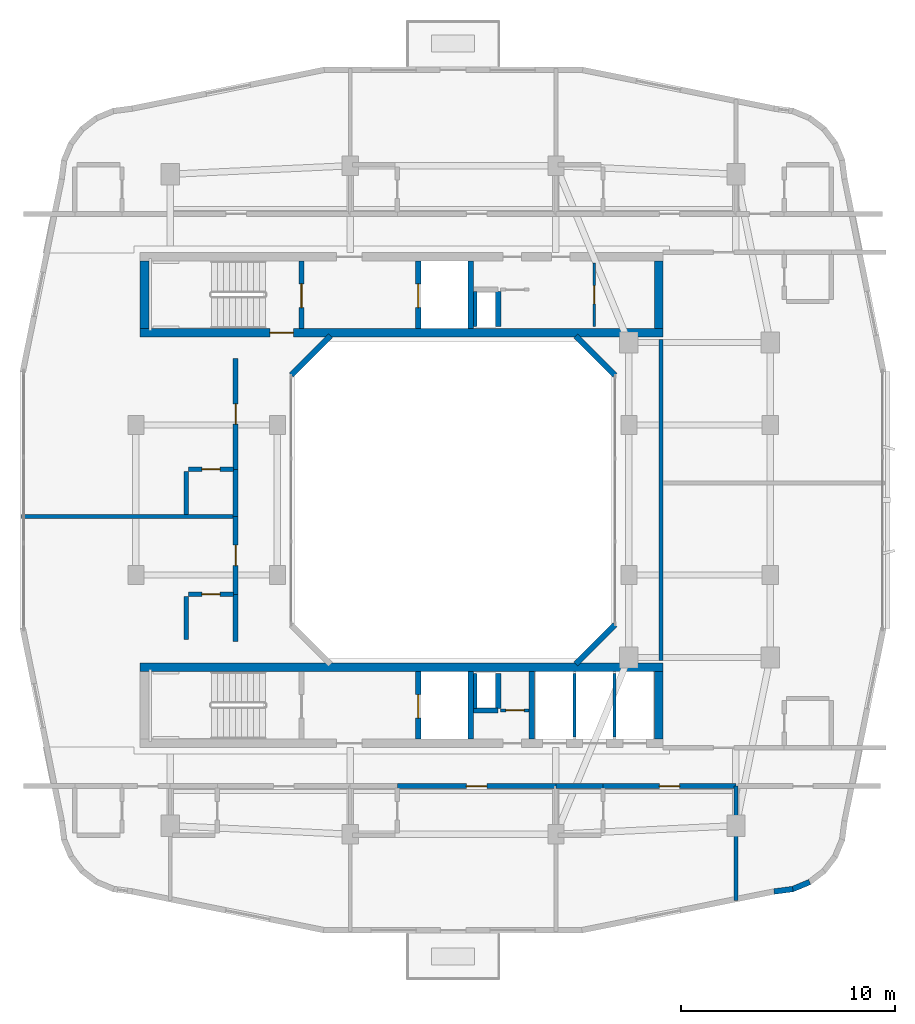
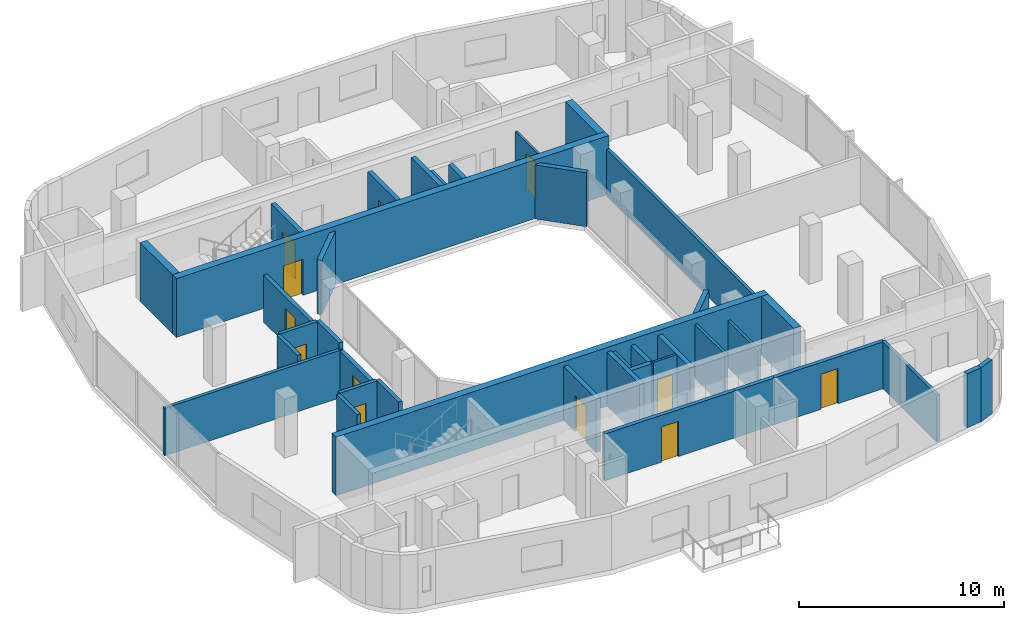
# One storey, part 6 of 13: 39 walls, 12 doors, 12 openings.
"""IFC4 building model written with IfcOpenShell, lengths in metres."""

from ifc_helpers import new_model, si_unit, derived_unit, direction, frame, frame_2d, origin, place, context, subcontext, project, spatial, rectangle, extrude, material, layer, layer_set, type_object, element, fill, save


model = new_model("IFC4")

# Units and contexts
model_context = context("Model", 3, precision=1e-05, world=origin(), true_north=direction((0.0, 1.0)))
body_context = subcontext(model_context, "Body", "Model", "MODEL_VIEW")
ifc_project = project(units=[si_unit("LENGTHUNIT", "METRE"), si_unit("AREAUNIT", "SQUARE_METRE"), si_unit("VOLUMEUNIT", "CUBIC_METRE"), si_unit("PLANEANGLEUNIT", "RADIAN"), si_unit("MASSUNIT", "GRAM", prefix="KILO"), derived_unit("THERMALTRANSMITTANCEUNIT", [(si_unit("POWERUNIT", "WATT"), 1), (si_unit("LENGTHUNIT", "METRE"), -2), (si_unit("THERMODYNAMICTEMPERATUREUNIT", "KELVIN"), -1)])], contexts=[model_context])

# Site, building, storey
site_placement = place(None, origin())
site = spatial("IfcSite", under=ifc_project, at=site_placement, CompositionType="ELEMENT")
building_placement = place(site_placement, origin())
building = spatial("IfcBuilding", under=site, at=building_placement, Name="Kivonza Crest Hotel", CompositionType="ELEMENT")
storey_placement = place(building_placement, frame((0.0, 0.0, 155.5)))
storey = spatial("IfcBuildingStorey", under=building, at=storey_placement, Name="L42", CompositionType="ELEMENT", Elevation=155.5)

# Walls
ifc_material_1 = material(Name="High-density acoustic masonry inter-tenancy wall", Category="masonry")
ifc_layer_1 = layer(ifc_material_1, 0.179931640625)
ifc_layer_set_1 = layer_set([ifc_layer_1], Name="High-density acoustic masonry inter-tenancy wall")
wall_type_1 = type_object("IfcWallType", Name="WL-ACOU-180", PredefinedType="SOLIDWALL", material=ifc_layer_set_1)
wall_1_placement = place(storey_placement, frame((34.199951171875, 6.299072265625, 0.0), z_axis=(0.0, 0.0, 1.0), x_axis=(0.0, 1.0, 0.0)))
element("IfcWall", 1, at=wall_1_placement, inside=storey, type_object=wall_type_1, Name="L42 interior partition WA-L42-T1S-DIV4", PredefinedType="SOLIDWALL", context=body_context, shape_type="SweptSolid", body=[
    extrude(rectangle(XDim=5.350830078125, YDim=0.179931640625, at=frame_2d((2.67529296875, 0.0))), origin(), (0.0, 0.0, 1.0), 2.794921875),
])
wall_2_placement = place(storey_placement, frame((0.860107421875, 24.22998046875, 0.0), z_axis=(0.0, 0.0, 1.0), x_axis=(1.0, 0.0, 0.0)))
element("IfcWall", 2, at=wall_2_placement, inside=storey, type_object=wall_type_1, Name="L42 interior partition WA-L42-T1W-DIV1", PredefinedType="SOLIDWALL", context=body_context, shape_type="SweptSolid", body=[
    extrude(rectangle(XDim=9.989990234375, YDim=0.179931640625, at=frame_2d((4.9951171875, 0.0))), origin(), (0.0, 0.0, 1.0), 2.8349609375),
])
wall_3_placement = place(storey_placement, frame((30.7099609375, 17.5, 0.0), z_axis=(0.0, 0.0, 1.0), x_axis=(0.0, 1.0, 0.0)))
element("IfcWall", 3, at=wall_3_placement, inside=storey, type_object=wall_type_1, Name="L42 interior partition WA-L42-T1EC-W", PredefinedType="SOLIDWALL", context=body_context, shape_type="SweptSolid", body=[
    extrude(rectangle(XDim=15.0, YDim=0.179931640625, at=frame_2d((7.5, 0.0))), origin(), (0.0, 0.0, 1.0), 2.794921875),
])

# Wall, opening, door
ifc_material_2 = material(Name="Autoclaved aerated concrete blockwork", Category="masonry")
ifc_layer_2 = layer(ifc_material_2, 0.219970703125)
ifc_layer_set_2 = layer_set([ifc_layer_2], Name="Autoclaved aerated concrete blockwork")
wall_type_2 = type_object("IfcWallType", Name="WL-ACOU-220", PredefinedType="SOLIDWALL", material=ifc_layer_set_2)
wall_4_placement = place(storey_placement, frame((18.39990234375, 11.64990234375, 0.0), z_axis=(0.0, 0.0, 1.0), x_axis=(1.0, 0.0, 0.0)))
wall_4 = element("IfcWall", 4, at=wall_4_placement, inside=storey, type_object=wall_type_2, Name="L42 interior partition WA-L42-S07-MCORR", PredefinedType="SOLIDWALL", context=body_context, shape_type="SweptSolid", body=[
    extrude(rectangle(XDim=7.400146484375, YDim=0.219970703125, at=frame_2d((3.7001953125, 0.0))), origin(), (0.0, 0.0, 1.0), 2.794921875),
])
opening_1_placement = place(wall_4_placement, frame((3.22509765625, 0.0, 0.0)))
opening_1 = element("IfcOpeningElement", 5, at=opening_1_placement, cuts=wall_4, Name="Opening DU-60", PredefinedType="OPENING", context=body_context, shape_type="SweptSolid", body=[
    extrude(rectangle(XDim=0.949951171875, YDim=2.10009765625, at=frame_2d((0.47509765625, 1.050048828125))), frame((0.0, 0.1201171875, 0.0), z_axis=(0.0, -1.0, 0.0), x_axis=(1.0, 0.0, 0.0)), (0.0, 0.0, 1.0), 0.239990234375),
])
ifc_material_3 = material(Name="Hardwood timber oak", Category="wood")
door_type_1 = type_object("IfcDoorType", Name="DR-UNIT-950", OperationType="NOTDEFINED", PredefinedType="DOOR", material=ifc_material_3)
door_1_placement = place(opening_1_placement, frame((0.949951171875, 0.0, 0.0), z_axis=(0.0, 0.0, 1.0), x_axis=(-1.0, 0.0, 0.0)))
door_1 = element("IfcDoor", 6, at=door_1_placement, inside=storey, type_object=door_type_1, Name="L42 S07 guest unit entrance fire door", OperationType="SINGLE_SWING_LEFT", OverallHeight=2.10009765625, OverallWidth=0.949951171875, PredefinedType="DOOR", context=body_context, shape_type="SweptSolid", body=[
    extrude(rectangle(XDim=0.949951171875, YDim=2.10009765625, at=frame_2d((0.47509765625, 1.050048828125))), frame((0.0, 0.02490234375, 0.0), z_axis=(0.0, -1.0, 0.0), x_axis=(1.0, 0.0, 0.0)), (0.0, 0.0, 1.0), 0.050048828125),
])
fill(opening_1, door_1)

# Wall
wall_5_placement = place(storey_placement, frame((25.800048828125, 11.64990234375, 0.0), z_axis=(0.0, 0.0, 1.0), x_axis=(1.0, 0.0, 0.0)))
element("IfcWall", 7, at=wall_5_placement, inside=storey, type_object=wall_type_2, Name="L42 interior partition WA-L42-S08-BCORR", PredefinedType="SOLIDWALL", context=body_context, shape_type="SweptSolid", body=[
    extrude(rectangle(XDim=2.199951171875, YDim=0.219970703125, at=frame_2d((1.10009765625, 0.0))), origin(), (0.0, 0.0, 1.0), 2.794921875),
])

# Wall, opening, door
wall_6_placement = place(storey_placement, frame((28.0, 11.64990234375, 0.0), z_axis=(0.0, 0.0, 1.0), x_axis=(1.0, 0.0, 0.0)))
wall_6 = element("IfcWall", 8, at=wall_6_placement, inside=storey, type_object=wall_type_2, Name="L42 interior partition WA-L42-S08-MCORR", PredefinedType="SOLIDWALL", context=body_context, shape_type="SweptSolid", body=[
    extrude(rectangle(XDim=6.199951171875, YDim=0.219970703125, at=frame_2d((3.10009765625, 0.0))), origin(), (0.0, 0.0, 1.0), 2.794921875),
])
opening_2_placement = place(wall_6_placement, frame((2.625, 0.0, 0.0)))
opening_2 = element("IfcOpeningElement", 9, at=opening_2_placement, cuts=wall_6, Name="Opening DU-60", PredefinedType="OPENING", context=body_context, shape_type="SweptSolid", body=[
    extrude(rectangle(XDim=0.949951171875, YDim=2.10009765625, at=frame_2d((0.47509765625, 1.050048828125))), frame((0.0, 0.1201171875, 0.0), z_axis=(0.0, -1.0, 0.0), x_axis=(1.0, 0.0, 0.0)), (0.0, 0.0, 1.0), 0.239990234375),
])
door_2_placement = place(opening_2_placement, frame((0.949951171875, 0.0, 0.0), z_axis=(0.0, 0.0, 1.0), x_axis=(-1.0, 0.0, 0.0)))
door_2 = element("IfcDoor", 10, at=door_2_placement, inside=storey, type_object=door_type_1, Name="L42 S08 guest unit entrance fire door", OperationType="SINGLE_SWING_RIGHT", OverallHeight=2.10009765625, OverallWidth=0.949951171875, PredefinedType="DOOR", context=body_context, shape_type="SweptSolid", body=[
    extrude(rectangle(XDim=0.949951171875, YDim=2.10009765625, at=frame_2d((0.47509765625, 1.050048828125))), frame((0.0, 0.02490234375, 0.0), z_axis=(0.0, -1.0, 0.0), x_axis=(1.0, 0.0, 0.0)), (0.0, 0.0, 1.0), 0.050048828125),
])
fill(opening_2, door_2)

# Wall
wall_7_placement = place(storey_placement, frame((10.85009765625, 18.39990234375, 0.0), z_axis=(0.0, 0.0, 1.0), x_axis=(0.0, 1.0, 0.0)))
element("IfcWall", 11, at=wall_7_placement, inside=storey, type_object=wall_type_2, Name="L42 interior partition WA-L42-W09-BCORR", PredefinedType="SOLIDWALL", context=body_context, shape_type="SweptSolid", body=[
    extrude(rectangle(XDim=2.2001953125, YDim=0.219970703125, at=frame_2d((1.10009765625, 0.0))), origin(), (0.0, 0.0, 1.0), 3.219970703125),
])

# Wall, opening, door
wall_8_placement = place(storey_placement, frame((10.85009765625, 20.60009765625, 0.0), z_axis=(0.0, 0.0, 1.0), x_axis=(0.0, 1.0, 0.0)))
wall_8 = element("IfcWall", 12, at=wall_8_placement, inside=storey, type_object=wall_type_2, Name="L42 interior partition WA-L42-W09-MCORR", PredefinedType="SOLIDWALL", context=body_context, shape_type="SweptSolid", body=[
    extrude(rectangle(XDim=3.6298828125, YDim=0.219970703125, at=frame_2d((1.81494140625, 0.0))), origin(), (0.0, 0.0, 1.0), 2.794921875),
])
opening_3_placement = place(wall_8_placement, frame((1.340087890625, 0.0, 0.0)))
opening_3 = element("IfcOpeningElement", 13, at=opening_3_placement, cuts=wall_8, Name="Opening DU-60", PredefinedType="OPENING", context=body_context, shape_type="SweptSolid", body=[
    extrude(rectangle(XDim=0.949951171875, YDim=2.10009765625, at=frame_2d((0.47509765625, 1.050048828125))), frame((0.0, 0.1201171875, 0.0), z_axis=(0.0, -1.0, 0.0), x_axis=(1.0, 0.0, 0.0)), (0.0, 0.0, 1.0), 0.239990234375),
])
door_3_placement = place(opening_3_placement, origin())
door_3 = element("IfcDoor", 14, at=door_3_placement, inside=storey, type_object=door_type_1, Name="L42 W09 guest unit entrance fire door", OperationType="SINGLE_SWING_LEFT", OverallHeight=2.10009765625, OverallWidth=0.949951171875, PredefinedType="DOOR", context=body_context, shape_type="SweptSolid", body=[
    extrude(rectangle(XDim=0.949951171875, YDim=2.10009765625, at=frame_2d((0.47509765625, 1.050048828125))), frame((0.0, 0.02490234375, 0.0), z_axis=(0.0, -1.0, 0.0), x_axis=(1.0, 0.0, 0.0)), (0.0, 0.0, 1.0), 0.050048828125),
])
fill(opening_3, door_3)

# Wall
wall_9_placement = place(storey_placement, frame((10.85009765625, 24.22998046875, 0.0), z_axis=(0.0, 0.0, 1.0), x_axis=(0.0, 1.0, 0.0)))
element("IfcWall", 15, at=wall_9_placement, inside=storey, type_object=wall_type_2, Name="L42 interior partition WA-L42-W10-BCORR", PredefinedType="SOLIDWALL", context=body_context, shape_type="SweptSolid", body=[
    extrude(rectangle(XDim=2.199951171875, YDim=0.219970703125, at=frame_2d((1.10009765625, 0.0))), origin(), (0.0, 0.0, 1.0), 3.219970703125),
])

# Wall, opening, door
wall_10_placement = place(storey_placement, frame((10.85009765625, 26.429931640625, 0.0), z_axis=(0.0, 0.0, 1.0), x_axis=(0.0, 1.0, 0.0)))
wall_10 = element("IfcWall", 16, at=wall_10_placement, inside=storey, type_object=wall_type_2, Name="L42 interior partition WA-L42-W10-MCORR", PredefinedType="SOLIDWALL", context=body_context, shape_type="SweptSolid", body=[
    extrude(rectangle(XDim=5.170166015625, YDim=0.219970703125, at=frame_2d((2.5849609375, 0.0))), origin(), (0.0, 0.0, 1.0), 2.794921875),
])
opening_4_placement = place(wall_10_placement, frame((2.110107421875, 0.0, 0.0)))
opening_4 = element("IfcOpeningElement", 17, at=opening_4_placement, cuts=wall_10, Name="Opening DU-60", PredefinedType="OPENING", context=body_context, shape_type="SweptSolid", body=[
    extrude(rectangle(XDim=0.949951171875, YDim=2.10009765625, at=frame_2d((0.47509765625, 1.050048828125))), frame((0.0, 0.1201171875, 0.0), z_axis=(0.0, -1.0, 0.0), x_axis=(1.0, 0.0, 0.0)), (0.0, 0.0, 1.0), 0.239990234375),
])
door_4_placement = place(opening_4_placement, origin())
door_4 = element("IfcDoor", 18, at=door_4_placement, inside=storey, type_object=door_type_1, Name="L42 W10 guest unit entrance fire door", OperationType="SINGLE_SWING_RIGHT", OverallHeight=2.10009765625, OverallWidth=0.949951171875, PredefinedType="DOOR", context=body_context, shape_type="SweptSolid", body=[
    extrude(rectangle(XDim=0.949951171875, YDim=2.10009765625, at=frame_2d((0.47509765625, 1.050048828125))), frame((0.0, 0.02490234375, 0.0), z_axis=(0.0, -1.0, 0.0), x_axis=(1.0, 0.0, 0.0)), (0.0, 0.0, 1.0), 0.050048828125),
])
fill(opening_4, door_4)

ifc_material_4 = material(Name="Concrete C50/60", Category="concrete")
ifc_layer_3 = layer(ifc_material_4, 0.39990234375)
ifc_layer_set_3 = layer_set([ifc_layer_3], Name="Concrete C50/60")
wall_type_3 = type_object("IfcWallType", Name="WL-CORE-400", PredefinedType="SHEAR", material=ifc_layer_set_3)
wall_11_placement = place(storey_placement, frame((6.39990234375, 32.800048828125, 0.0), z_axis=(0.0, 0.0, 1.0), x_axis=(1.0, 0.0, 0.0)))
wall_11 = element("IfcWall", 19, at=wall_11_placement, inside=storey, type_object=wall_type_3, Name="Core wall T1-N South L42", PredefinedType="SHEAR", context=body_context, shape_type="SweptSolid", body=[
    extrude(rectangle(XDim=24.400146484375, YDim=0.39990234375, at=frame_2d((12.2001953125, 0.0))), origin(), (0.0, 0.0, 1.0), 3.5),
])
opening_5_placement = place(wall_11_placement, frame((6.050048828125, 0.0, 0.0)))
opening_5 = element("IfcOpeningElement", 20, at=opening_5_placement, cuts=wall_11, Name="Opening DF-120", PredefinedType="OPENING", context=body_context, shape_type="SweptSolid", body=[
    extrude(rectangle(XDim=1.10009765625, YDim=2.14990234375, at=frame_2d((0.550048828125, 1.074951171875))), frame((0.0, 0.2099609375, 0.0), z_axis=(0.0, -1.0, 0.0), x_axis=(1.0, 0.0, 0.0)), (0.0, 0.0, 1.0), 0.419921875),
])
ifc_material_5 = material(Name="Galvanised steel", Category="steel")
door_type_2 = type_object("IfcDoorType", Name="DR-FD120-1100", OperationType="NOTDEFINED", PredefinedType="DOOR", material=ifc_material_5)
door_5_placement = place(opening_5_placement, origin())
door_5 = element("IfcDoor", 21, at=door_5_placement, inside=storey, type_object=door_type_2, Name="L42 West corridor stair access fire door", OperationType="SINGLE_SWING_LEFT", OverallHeight=2.14990234375, OverallWidth=1.10009765625, PredefinedType="DOOR", context=body_context, shape_type="SweptSolid", body=[
    extrude(rectangle(XDim=1.10009765625, YDim=2.14990234375, at=frame_2d((0.550048828125, 1.074951171875))), frame((0.0, 0.02490234375, 0.0), z_axis=(0.0, -1.0, 0.0), x_axis=(1.0, 0.0, 0.0)), (0.0, 0.0, 1.0), 0.050048828125),
])
fill(opening_5, door_5)

# Walls
for number, where, z_axis, x_axis, name in (
    (22, (6.60009765625, 33.0, 0.0), (0.0, 0.0, 1.0), (0.0, 1.0, 0.0), "Core wall T1-N West L42"),
    (23, (30.60009765625, 33.0, 0.0), (0.0, 0.0, 1.0), (0.0, 1.0, 0.0), "Core wall T1-N East L42"),
):
    element("IfcWall", number, at=place(storey_placement, frame(where, z_axis=z_axis, x_axis=x_axis)), inside=storey, type_object=wall_type_3, Name=name, PredefinedType="SHEAR", context=body_context, shape_type="SweptSolid", body=[
        extrude(rectangle(XDim=3.159912109375, YDim=0.39990234375, at=frame_2d((1.580078125, 0.0))), origin(), (0.0, 0.0, 1.0), 3.5),
    ])
wall_12_placement = place(storey_placement, frame((6.39990234375, 17.199951171875, 0.0), z_axis=(0.0, 0.0, 1.0), x_axis=(1.0, 0.0, 0.0)))
element("IfcWall", 24, at=wall_12_placement, inside=storey, type_object=wall_type_3, Name="Core wall T1-S North L42", PredefinedType="SHEAR", context=body_context, shape_type="SweptSolid", body=[
    extrude(rectangle(XDim=24.400146484375, YDim=0.39990234375, at=frame_2d((12.2001953125, 0.0))), origin(), (0.0, 0.0, 1.0), 3.5),
])
wall_13_placement = place(storey_placement, frame((30.60009765625, 13.840087890625, 0.0), z_axis=(0.0, 0.0, 1.0), x_axis=(0.0, 1.0, 0.0)))
element("IfcWall", 25, at=wall_13_placement, inside=storey, type_object=wall_type_3, Name="Core wall T1-S East L42", PredefinedType="SHEAR", context=body_context, shape_type="SweptSolid", body=[
    extrude(rectangle(XDim=3.159912109375, YDim=0.39990234375, at=frame_2d((1.580078125, 0.0))), origin(), (0.0, 0.0, 1.0), 3.5),
])
ifc_material_6 = material(Name="Precast concrete C40/50", Category="concrete")
ifc_layer_4 = layer(ifc_material_6, 0.260009765625)
ifc_layer_set_4 = layer_set([ifc_layer_4], Name="Precast concrete C40/50")
wall_type_4 = type_object("IfcWallType", Name="WL-EXT-260", PredefinedType="STANDARD", material=ifc_layer_set_4)
wall_14_placement = place(storey_placement, frame((35.97509765625, 6.72802734375, 0.0), z_axis=(0.0, 0.0, 1.0), x_axis=(0.991388484223, 0.130953706898, 0.0)))
element("IfcWall", 26, at=wall_14_placement, inside=storey, type_object=wall_type_4, Name="L42 T1 exterior insulated wall 10", PredefinedType="STANDARD", context=body_context, shape_type="SweptSolid", body=[
    extrude(rectangle(XDim=0.885498046875, YDim=0.260009765625, at=frame_2d((0.44287109375, 0.0))), origin(), (0.0, 0.0, 1.0), 3.219970703125),
])
wall_15_placement = place(storey_placement, frame((36.806884765625, 6.825927734375, 0.0), z_axis=(0.0, 0.0, 1.0), x_axis=(0.923627776508, 0.383290660547, 0.0)))
element("IfcWall", 27, at=wall_15_placement, inside=storey, type_object=wall_type_4, Name="L42 T1 exterior insulated wall 11", PredefinedType="STANDARD", context=body_context, shape_type="SweptSolid", body=[
    extrude(rectangle(XDim=0.9033203125, YDim=0.260009765625, at=frame_2d((0.45166015625, 0.0))), origin(), (0.0, 0.0, 1.0), 3.219970703125),
])
for number, where, z_axis, x_axis, name in (
    (28, (26.721923828125, 17.337890625, 0.0), (0.0, 0.0, 1.0), (0.707059717605, 0.707153841636, 0.0), "L42 T1 light-well exterior wall 2"),
    (29, (28.555908203125, 30.827880859375, 0.0), (0.0, 0.0, 1.0), (-0.707059717605, 0.707153841636, 0.0), "L42 T1 light-well exterior wall 4"),
    (30, (15.278076171875, 32.662109375, 0.0), (0.0, 0.0, 1.0), (-0.707059717605, -0.707153841636, 0.0), "L42 T1 light-well exterior wall 6"),
):
    element("IfcWall", number, at=place(storey_placement, frame(where, z_axis=z_axis, x_axis=x_axis)), inside=storey, type_object=wall_type_4, Name=name, PredefinedType="STANDARD", context=body_context, shape_type="SweptSolid", body=[
        extrude(rectangle(XDim=2.59375, YDim=0.260009765625, at=frame_2d((1.296875, 0.0))), origin(), (0.0, 0.0, 1.0), 3.219970703125),
    ])
ifc_material_7 = material(Name="Concrete blockwork fire-compartment wall", Category="masonry")
ifc_layer_5 = layer(ifc_material_7, 0.25)
ifc_layer_set_5 = layer_set([ifc_layer_5], Name="Concrete blockwork fire-compartment wall")
wall_type_5 = type_object("IfcWallType", Name="WL-FIRE-250", PredefinedType="SOLIDWALL", material=ifc_layer_set_5)
for number, where, z_axis, x_axis, name in (
    (31, (23.10009765625, 33.10009765625, 0.0), (0.0, 0.0, 1.0), (0.0, 1.0, 0.0), "L42 interior partition WA-L42-T1-N-MEPR-E"),
    (32, (23.10009765625, 15.280029296875, 0.0), (0.0, 0.0, 1.0), (0.0, 1.0, 0.0), "L42 interior partition WA-L42-T1-S-MEPR-E"),
):
    element("IfcWall", number, at=place(storey_placement, frame(where, z_axis=z_axis, x_axis=x_axis)), inside=storey, type_object=wall_type_5, Name=name, PredefinedType="SOLIDWALL", context=body_context, shape_type="SweptSolid", body=[
        extrude(rectangle(XDim=1.619873046875, YDim=0.25, at=frame_2d((0.81005859375, 0.0))), origin(), (0.0, 0.0, 1.0), 3.219970703125),
    ])
wall_16_placement = place(storey_placement, frame((21.949951171875, 15.179931640625, 0.0), z_axis=(0.0, 0.0, 1.0), x_axis=(1.0, 0.0, 0.0)))
element("IfcWall", 33, at=wall_16_placement, inside=storey, type_object=wall_type_5, Name="L42 interior partition WA-L42-T1-S-MEPR-H", PredefinedType="SOLIDWALL", context=body_context, shape_type="SweptSolid", body=[
    extrude(rectangle(XDim=1.150146484375, YDim=0.25, at=frame_2d((0.5751953125, 0.0))), origin(), (0.0, 0.0, 1.0), 3.219970703125),
])

# Wall, opening, door
ifc_material_8 = material(Name="Metal-stud gypsum board partition", Category="gypsum")
ifc_layer_6 = layer(ifc_material_8, 0.125)
ifc_layer_set_6 = layer_set([ifc_layer_6], Name="Metal-stud gypsum board partition")
wall_type_6 = type_object("IfcWallType", Name="WL-PART-125", PredefinedType="PARTITIONING", material=ifc_layer_set_6)
wall_17_placement = place(storey_placement, frame((27.580078125, 33.10009765625, 0.0), z_axis=(0.0, 0.0, 1.0), x_axis=(0.0, 1.0, 0.0)))
wall_17 = element("IfcWall", 34, at=wall_17_placement, inside=storey, type_object=wall_type_6, Name="L42 interior partition WP-L42-T1-N-RECL", PredefinedType="PARTITIONING", context=body_context, shape_type="SweptSolid", body=[
    extrude(rectangle(XDim=2.9599609375, YDim=0.125, at=frame_2d((1.47998046875, 0.0))), origin(), (0.0, 0.0, 1.0), 2.794921875),
])
opening_6_placement = place(wall_17_placement, frame((1.054931640625, 0.0, 0.0)))
opening_6 = element("IfcOpeningElement", 35, at=opening_6_placement, cuts=wall_17, Name="Opening DI-85", PredefinedType="OPENING", context=body_context, shape_type="SweptSolid", body=[
    extrude(rectangle(XDim=0.85009765625, YDim=2.10009765625, at=frame_2d((0.425048828125, 1.050048828125))), frame((0.0, 0.072509765625, 0.0), z_axis=(0.0, -1.0, 0.0), x_axis=(1.0, 0.0, 0.0)), (0.0, 0.0, 1.0), 0.14501953125),
])
door_type_3 = type_object("IfcDoorType", Name="DR-INT-850", OperationType="NOTDEFINED", PredefinedType="DOOR", material=ifc_material_3)
door_6_placement = place(opening_6_placement, origin())
door_6 = element("IfcDoor", 36, at=door_6_placement, inside=storey, type_object=door_type_3, Name="L42 T1-N reclaimed inner pantry door", OperationType="SINGLE_SWING_LEFT", OverallHeight=2.10009765625, OverallWidth=0.85009765625, PredefinedType="DOOR", context=body_context, shape_type="SweptSolid", body=[
    extrude(rectangle(XDim=0.85009765625, YDim=2.10009765625, at=frame_2d((0.425048828125, 1.050048828125))), frame((0.0, 0.02490234375, 0.0), z_axis=(0.0, -1.0, 0.0), x_axis=(1.0, 0.0, 0.0)), (0.0, 0.0, 1.0), 0.050048828125),
])
fill(opening_6, door_6)

wall_18_placement = place(storey_placement, frame((23.219970703125, 15.179931640625, 0.0), z_axis=(0.0, 0.0, 1.0), x_axis=(1.0, 0.0, 0.0)))
wall_18 = element("IfcWall", 37, at=wall_18_placement, inside=storey, type_object=wall_type_6, Name="L42 interior partition WP-L42-T1-S-SV3H", PredefinedType="PARTITIONING", context=body_context, shape_type="SweptSolid", body=[
    extrude(rectangle(XDim=1.330078125, YDim=0.125, at=frame_2d((0.6650390625, 0.0))), origin(), (0.0, 0.0, 1.0), 3.219970703125),
])
opening_7_placement = place(wall_18_placement, frame((0.239990234375, 0.0, 0.0)))
opening_7 = element("IfcOpeningElement", 38, at=opening_7_placement, cuts=wall_18, Name="Opening DI-85", PredefinedType="OPENING", context=body_context, shape_type="SweptSolid", body=[
    extrude(rectangle(XDim=0.85009765625, YDim=2.10009765625, at=frame_2d((0.425048828125, 1.050048828125))), frame((0.0, 0.072509765625, 0.0), z_axis=(0.0, -1.0, 0.0), x_axis=(1.0, 0.0, 0.0)), (0.0, 0.0, 1.0), 0.14501953125),
])
door_7_placement = place(opening_7_placement, origin())
door_7 = element("IfcDoor", 39, at=door_7_placement, inside=storey, type_object=door_type_3, Name="L42 T1-S inner manifold door", OperationType="SINGLE_SWING_LEFT", OverallHeight=2.10009765625, OverallWidth=0.85009765625, PredefinedType="DOOR", context=body_context, shape_type="SweptSolid", body=[
    extrude(rectangle(XDim=0.85009765625, YDim=2.10009765625, at=frame_2d((0.425048828125, 1.050048828125))), frame((0.0, 0.02490234375, 0.0), z_axis=(0.0, -1.0, 0.0), x_axis=(1.0, 0.0, 0.0)), (0.0, 0.0, 1.0), 0.050048828125),
])
fill(opening_7, door_7)

# Walls
ifc_material_9 = material(Name="Twin-stud acoustic gypsum board partition", Category="gypsum")
ifc_layer_7 = layer(ifc_material_9, 0.14990234375)
ifc_layer_set_7 = layer_set([ifc_layer_7], Name="Twin-stud acoustic gypsum board partition")
wall_type_7 = type_object("IfcWallType", Name="WL-PART-150", PredefinedType="PARTITIONING", material=ifc_layer_set_7)
for number, where, z_axis, x_axis, name in (
    (40, (22.030029296875, 33.10009765625, 0.0), (0.0, 0.0, 1.0), (0.0, 1.0, 0.0), "L42 interior partition WA-L42-T1-N-MEPR-W"),
    (41, (22.030029296875, 15.280029296875, 0.0), (0.0, 0.0, 1.0), (0.0, 1.0, 0.0), "L42 interior partition WA-L42-T1-S-MEPR-W"),
):
    element("IfcWall", number, at=place(storey_placement, frame(where, z_axis=z_axis, x_axis=x_axis)), inside=storey, type_object=wall_type_7, Name=name, PredefinedType="PARTITIONING", context=body_context, shape_type="SweptSolid", body=[
        extrude(rectangle(XDim=1.619873046875, YDim=0.14990234375, at=frame_2d((0.81005859375, 0.0))), origin(), (0.0, 0.0, 1.0), 3.219970703125),
    ])
wall_19_placement = place(storey_placement, frame((26.6669921875, 13.93994140625, 0.0), z_axis=(0.0, 0.0, 1.0), x_axis=(0.0, 1.0, 0.0)))
element("IfcWall", 42, at=wall_19_placement, inside=storey, type_object=wall_type_7, Name="L42 interior partition WP-L42-T1-S-BSH-1", PredefinedType="PARTITIONING", context=body_context, shape_type="SweptSolid", body=[
    extrude(rectangle(XDim=2.9599609375, YDim=0.14990234375, at=frame_2d((1.47998046875, 0.0))), origin(), (0.0, 0.0, 1.0), 3.219970703125),
])
wall_20_placement = place(storey_placement, frame((28.532958984375, 13.93994140625, 0.0), z_axis=(0.0, 0.0, 1.0), x_axis=(0.0, 1.0, 0.0)))
element("IfcWall", 43, at=wall_20_placement, inside=storey, type_object=wall_type_7, Name="L42 interior partition WP-L42-T1-S-BSH-2", PredefinedType="PARTITIONING", context=body_context, shape_type="SweptSolid", body=[
    extrude(rectangle(XDim=2.9599609375, YDim=0.14990234375, at=frame_2d((1.47998046875, 0.0))), origin(), (0.0, 0.0, 1.0), 2.794921875),
])

# Wall, opening, door
ifc_material_10 = material(Name="Moisture-resistant plumbing chase partition wall", Category="gypsum")
ifc_layer_8 = layer(ifc_material_10, 0.199951171875)
ifc_layer_set_8 = layer_set([ifc_layer_8], Name="Moisture-resistant plumbing chase partition wall")
wall_type_8 = type_object("IfcWallType", Name="WL-PLUMB-200", PredefinedType="PLUMBINGWALL", material=ifc_layer_set_8)
wall_21_placement = place(storey_placement, frame((8.64990234375, 20.60009765625, 0.0), z_axis=(0.0, 0.0, 1.0), x_axis=(1.0, 0.0, 0.0)))
wall_21 = element("IfcWall", 44, at=wall_21_placement, inside=storey, type_object=wall_type_8, Name="L42 interior partition WW-L42-W09-BH", PredefinedType="PLUMBINGWALL", context=body_context, shape_type="SweptSolid", body=[
    extrude(rectangle(XDim=2.10009765625, YDim=0.199951171875, at=frame_2d((1.050048828125, 0.0))), origin(), (0.0, 0.0, 1.0), 3.219970703125),
])
opening_8_placement = place(wall_21_placement, frame((0.625, 0.0, 0.0)))
opening_8 = element("IfcOpeningElement", 45, at=opening_8_placement, cuts=wall_21, Name="Opening DI-85", PredefinedType="OPENING", context=body_context, shape_type="SweptSolid", body=[
    extrude(rectangle(XDim=0.85009765625, YDim=2.10009765625, at=frame_2d((0.425048828125, 1.050048828125))), frame((0.0, 0.10986328125, 0.0), z_axis=(0.0, -1.0, 0.0), x_axis=(1.0, 0.0, 0.0)), (0.0, 0.0, 1.0), 0.219970703125),
])
door_8_placement = place(opening_8_placement, origin())
door_8 = element("IfcDoor", 46, at=door_8_placement, inside=storey, type_object=door_type_3, Name="L42 W09 en-suite bathroom door", OperationType="SINGLE_SWING_RIGHT", OverallHeight=2.10009765625, OverallWidth=0.85009765625, PredefinedType="DOOR", context=body_context, shape_type="SweptSolid", body=[
    extrude(rectangle(XDim=0.85009765625, YDim=2.10009765625, at=frame_2d((0.425048828125, 1.050048828125))), frame((0.0, 0.02490234375, 0.0), z_axis=(0.0, -1.0, 0.0), x_axis=(1.0, 0.0, 0.0)), (0.0, 0.0, 1.0), 0.050048828125),
])
fill(opening_8, door_8)

# Wall
wall_22_placement = place(storey_placement, frame((8.550048828125, 18.5, 0.0), z_axis=(0.0, 0.0, 1.0), x_axis=(0.0, 1.0, 0.0)))
element("IfcWall", 47, at=wall_22_placement, inside=storey, type_object=wall_type_8, Name="L42 interior partition WW-L42-W09-BV", PredefinedType="PLUMBINGWALL", context=body_context, shape_type="SweptSolid", body=[
    extrude(rectangle(XDim=2.0, YDim=0.199951171875, at=frame_2d((1.0, 0.0))), origin(), (0.0, 0.0, 1.0), 3.219970703125),
])

# Wall, opening, door
wall_23_placement = place(storey_placement, frame((8.64990234375, 26.429931640625, 0.0), z_axis=(0.0, 0.0, 1.0), x_axis=(1.0, 0.0, 0.0)))
wall_23 = element("IfcWall", 48, at=wall_23_placement, inside=storey, type_object=wall_type_8, Name="L42 interior partition WW-L42-W10-BH", PredefinedType="PLUMBINGWALL", context=body_context, shape_type="SweptSolid", body=[
    extrude(rectangle(XDim=2.10009765625, YDim=0.199951171875, at=frame_2d((1.050048828125, 0.0))), origin(), (0.0, 0.0, 1.0), 3.219970703125),
])
opening_9_placement = place(wall_23_placement, frame((0.625, 0.0, 0.0)))
opening_9 = element("IfcOpeningElement", 49, at=opening_9_placement, cuts=wall_23, Name="Opening DI-85", PredefinedType="OPENING", context=body_context, shape_type="SweptSolid", body=[
    extrude(rectangle(XDim=0.85009765625, YDim=2.10009765625, at=frame_2d((0.425048828125, 1.050048828125))), frame((0.0, 0.10986328125, 0.0), z_axis=(0.0, -1.0, 0.0), x_axis=(1.0, 0.0, 0.0)), (0.0, 0.0, 1.0), 0.219970703125),
])
door_9_placement = place(opening_9_placement, origin())
door_9 = element("IfcDoor", 50, at=door_9_placement, inside=storey, type_object=door_type_3, Name="L42 W10 en-suite bathroom door", OperationType="SINGLE_SWING_LEFT", OverallHeight=2.10009765625, OverallWidth=0.85009765625, PredefinedType="DOOR", context=body_context, shape_type="SweptSolid", body=[
    extrude(rectangle(XDim=0.85009765625, YDim=2.10009765625, at=frame_2d((0.425048828125, 1.050048828125))), frame((0.0, 0.02490234375, 0.0), z_axis=(0.0, -1.0, 0.0), x_axis=(1.0, 0.0, 0.0)), (0.0, 0.0, 1.0), 0.050048828125),
])
fill(opening_9, door_9)

# Wall
wall_24_placement = place(storey_placement, frame((8.550048828125, 24.330078125, 0.0), z_axis=(0.0, 0.0, 1.0), x_axis=(0.0, 1.0, 0.0)))
element("IfcWall", 51, at=wall_24_placement, inside=storey, type_object=wall_type_8, Name="L42 interior partition WW-L42-W10-BV", PredefinedType="PLUMBINGWALL", context=body_context, shape_type="SweptSolid", body=[
    extrude(rectangle(XDim=2.0, YDim=0.199951171875, at=frame_2d((1.0, 0.0))), origin(), (0.0, 0.0, 1.0), 3.219970703125),
])

# Wall, opening, door
ifc_layer_9 = layer(ifc_material_4, 0.25)
ifc_layer_set_9 = layer_set([ifc_layer_9], Name="Concrete C50/60")
wall_type_9 = type_object("IfcWallType", Name="WL-SHAFT-250", PredefinedType="STANDARD", material=ifc_layer_set_9)
wall_25_placement = place(storey_placement, frame((13.925048828125, 33.0, 0.0), z_axis=(0.0, 0.0, 1.0), x_axis=(0.0, 1.0, 0.0)))
wall_25 = element("IfcWall", 52, at=wall_25_placement, inside=storey, type_object=wall_type_9, Name="Core shaft wall T1-N STAIR L42", PredefinedType="STANDARD", context=body_context, shape_type="SweptSolid", body=[
    extrude(rectangle(XDim=3.159912109375, YDim=0.25, at=frame_2d((1.580078125, 0.0))), origin(), (0.0, 0.0, 1.0), 3.219970703125),
])
opening_10_placement = place(wall_25_placement, frame((0.97998046875, 0.0, 0.0)))
opening_10 = element("IfcOpeningElement", 53, at=opening_10_placement, cuts=wall_25, Name="Opening DF-120", PredefinedType="OPENING", context=body_context, shape_type="SweptSolid", body=[
    extrude(rectangle(XDim=1.10009765625, YDim=2.14990234375, at=frame_2d((0.550048828125, 1.074951171875))), frame((0.0, 0.135009765625, 0.0), z_axis=(0.0, -1.0, 0.0), x_axis=(1.0, 0.0, 0.0)), (0.0, 0.0, 1.0), 0.27001953125),
])
door_10_placement = place(opening_10_placement, frame((1.10009765625, 0.0, 0.0), z_axis=(0.0, 0.0, 1.0), x_axis=(-1.0, 0.0, 0.0)))
door_10 = element("IfcDoor", 54, at=door_10_placement, inside=storey, type_object=door_type_2, Name="L42 T1-N stair fire door", OperationType="SINGLE_SWING_LEFT", OverallHeight=2.14990234375, OverallWidth=1.10009765625, PredefinedType="DOOR", context=body_context, shape_type="SweptSolid", body=[
    extrude(rectangle(XDim=1.10009765625, YDim=2.14990234375, at=frame_2d((0.550048828125, 1.074951171875))), frame((0.0, 0.02490234375, 0.0), z_axis=(0.0, -1.0, 0.0), x_axis=(1.0, 0.0, 0.0)), (0.0, 0.0, 1.0), 0.050048828125),
])
fill(opening_10, door_10)

wall_26_placement = place(storey_placement, frame((19.375, 33.0, 0.0), z_axis=(0.0, 0.0, 1.0), x_axis=(0.0, 1.0, 0.0)))
wall_26 = element("IfcWall", 55, at=wall_26_placement, inside=storey, type_object=wall_type_9, Name="Core shaft wall T1-N FFL-W L42", PredefinedType="STANDARD", context=body_context, shape_type="SweptSolid", body=[
    extrude(rectangle(XDim=3.159912109375, YDim=0.25, at=frame_2d((1.580078125, 0.0))), origin(), (0.0, 0.0, 1.0), 3.219970703125),
])
opening_11_placement = place(wall_26_placement, frame((0.97998046875, 0.0, 0.0)))
opening_11 = element("IfcOpeningElement", 56, at=opening_11_placement, cuts=wall_26, Name="Opening LD-120", PredefinedType="OPENING", context=body_context, shape_type="SweptSolid", body=[
    extrude(rectangle(XDim=1.10009765625, YDim=2.14990234375, at=frame_2d((0.550048828125, 1.074951171875))), frame((0.0, 0.135009765625, 0.0), z_axis=(0.0, -1.0, 0.0), x_axis=(1.0, 0.0, 0.0)), (0.0, 0.0, 1.0), 0.27001953125),
])
ifc_material_11 = material(Name="Stainless steel", Category="steel")
door_type_4 = type_object("IfcDoorType", Name="DR-LD120-1100", OperationType="NOTDEFINED", PredefinedType="DOOR", material=ifc_material_11)
door_11_placement = place(opening_11_placement, origin())
door_11 = element("IfcDoor", 57, at=door_11_placement, inside=storey, type_object=door_type_4, Name="L42 FFL-T1-N firefighting lift sliding landing door", OperationType="DOUBLE_DOOR_SLIDING", OverallHeight=2.14990234375, OverallWidth=1.10009765625, PredefinedType="DOOR", context=body_context, shape_type="SweptSolid", body=[
    extrude(rectangle(XDim=1.10009765625, YDim=2.14990234375, at=frame_2d((0.550048828125, 1.074951171875))), frame((0.0, 0.02490234375, 0.0), z_axis=(0.0, -1.0, 0.0), x_axis=(1.0, 0.0, 0.0)), (0.0, 0.0, 1.0), 0.050048828125),
])
fill(opening_11, door_11)

# Wall
wall_27_placement = place(storey_placement, frame((21.824951171875, 33.0, 0.0), z_axis=(0.0, 0.0, 1.0), x_axis=(0.0, 1.0, 0.0)))
element("IfcWall", 58, at=wall_27_placement, inside=storey, type_object=wall_type_9, Name="Core shaft wall T1-N FFL-E L42", PredefinedType="STANDARD", context=body_context, shape_type="SweptSolid", body=[
    extrude(rectangle(XDim=3.159912109375, YDim=0.25, at=frame_2d((1.580078125, 0.0))), origin(), (0.0, 0.0, 1.0), 3.219970703125),
])

# Wall, opening, door
wall_28_placement = place(storey_placement, frame((19.375, 13.840087890625, 0.0), z_axis=(0.0, 0.0, 1.0), x_axis=(0.0, 1.0, 0.0)))
wall_28 = element("IfcWall", 59, at=wall_28_placement, inside=storey, type_object=wall_type_9, Name="Core shaft wall T1-S FFL-W L42", PredefinedType="STANDARD", context=body_context, shape_type="SweptSolid", body=[
    extrude(rectangle(XDim=3.159912109375, YDim=0.25, at=frame_2d((1.580078125, 0.0))), origin(), (0.0, 0.0, 1.0), 3.219970703125),
])
opening_12_placement = place(wall_28_placement, frame((0.97998046875, 0.0, 0.0)))
opening_12 = element("IfcOpeningElement", 60, at=opening_12_placement, cuts=wall_28, Name="Opening LD-120", PredefinedType="OPENING", context=body_context, shape_type="SweptSolid", body=[
    extrude(rectangle(XDim=1.10009765625, YDim=2.14990234375, at=frame_2d((0.550048828125, 1.074951171875))), frame((0.0, 0.135009765625, 0.0), z_axis=(0.0, -1.0, 0.0), x_axis=(1.0, 0.0, 0.0)), (0.0, 0.0, 1.0), 0.27001953125),
])
door_12_placement = place(opening_12_placement, origin())
door_12 = element("IfcDoor", 61, at=door_12_placement, inside=storey, type_object=door_type_4, Name="L42 FFL-T1-S firefighting lift sliding landing door", OperationType="DOUBLE_DOOR_SLIDING", OverallHeight=2.14990234375, OverallWidth=1.10009765625, PredefinedType="DOOR", context=body_context, shape_type="SweptSolid", body=[
    extrude(rectangle(XDim=1.10009765625, YDim=2.14990234375, at=frame_2d((0.550048828125, 1.074951171875))), frame((0.0, 0.02490234375, 0.0), z_axis=(0.0, -1.0, 0.0), x_axis=(1.0, 0.0, 0.0)), (0.0, 0.0, 1.0), 0.050048828125),
])
fill(opening_12, door_12)

# Walls
for number, where, z_axis, x_axis, name in (
    (62, (21.824951171875, 13.840087890625, 0.0), (0.0, 0.0, 1.0), (0.0, 1.0, 0.0), "Core shaft wall T1-S FFL-E L42"),
    (63, (24.675048828125, 13.840087890625, 0.0), (0.0, 0.0, 1.0), (0.0, 1.0, 0.0), "Core shaft wall T1-S BANK-W L42"),
):
    element("IfcWall", number, at=place(storey_placement, frame(where, z_axis=z_axis, x_axis=x_axis)), inside=storey, type_object=wall_type_9, Name=name, PredefinedType="STANDARD", context=body_context, shape_type="SweptSolid", body=[
        extrude(rectangle(XDim=3.159912109375, YDim=0.25, at=frame_2d((1.580078125, 0.0))), origin(), (0.0, 0.0, 1.0), 3.219970703125),
    ])

save(model, "model.ifc")
